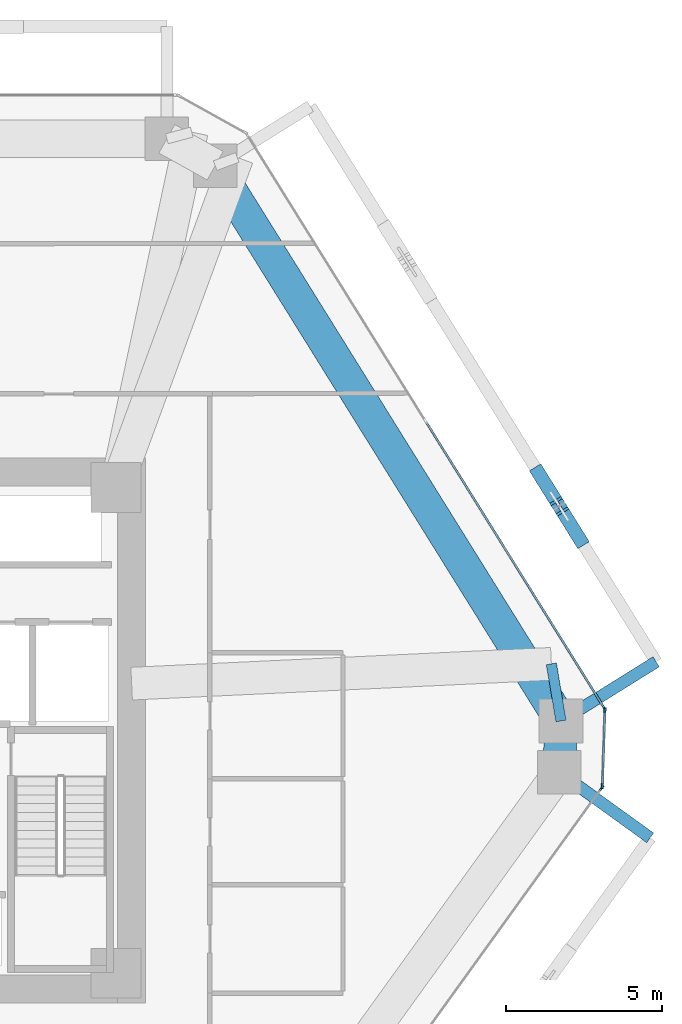
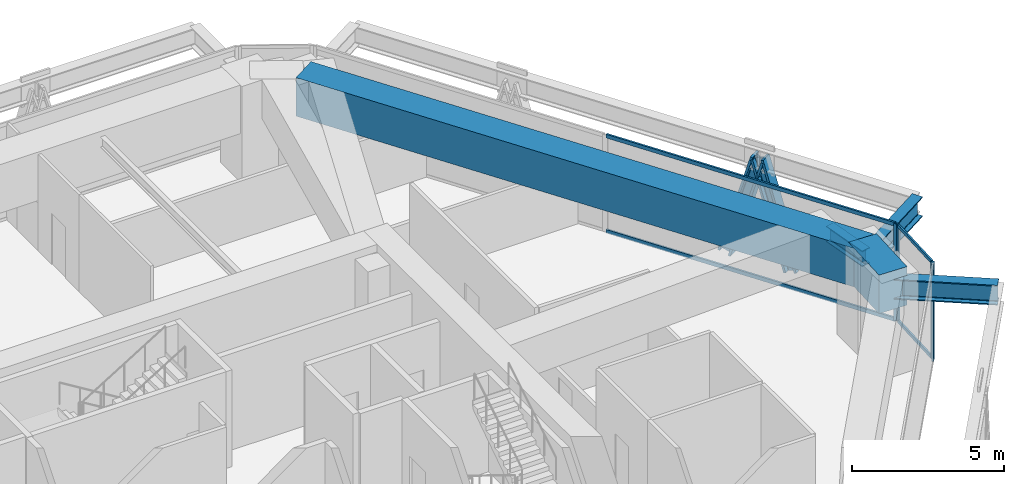
# One storey, part 6 of 16: 10 members, 5 beams, 3 elements without a shape of their own.
"""IFC4 building model written with IfcOpenShell, lengths in metres."""

from ifc_helpers import new_model, si_unit, direction, frame, origin, origin_2d, place, context, subcontext, project, spatial, rectangle, i_section, extrude, source, transform, mapped, material, layer, layer_set, material_profile, profile_set, type_object, type_shapes, element, aggregate, save


model = new_model("IFC4")

# Units and contexts
model_context = context("Model", 3, precision=1e-05, world=origin(), true_north=direction((0.0, 1.0)))
body_context = subcontext(model_context, "Body", "Model", "MODEL_VIEW")
ifc_project = project(units=[si_unit("LENGTHUNIT", "METRE"), si_unit("AREAUNIT", "SQUARE_METRE"), si_unit("VOLUMEUNIT", "CUBIC_METRE"), si_unit("PLANEANGLEUNIT", "RADIAN"), si_unit("MASSUNIT", "GRAM", prefix="KILO")], contexts=[model_context])

# Site, building, storey
site_placement = place(None, origin())
site = spatial("IfcSite", under=ifc_project, at=site_placement, CompositionType="ELEMENT")
building_placement = place(site_placement, origin())
building = spatial("IfcBuilding", under=site, at=building_placement, Name="Durnholm Broadcast Tower", CompositionType="ELEMENT")
storey_placement = place(building_placement, frame((0.0, 0.0, 84.300048828125)))
storey = spatial("IfcBuildingStorey", under=building, at=storey_placement, Name="L22", CompositionType="ELEMENT", Elevation=84.300048828125)

# Beams
ifc_material_1 = material(Name="Steel ASTM A992 Grade 50", Category="steel")
ifc_material_profile_1 = material_profile(ifc_material_1, i_section(OverallWidth=0.385009765625, OverallDepth=0.802978515625, WebThickness=0.023681640625, FlangeThickness=0.0419921875, FilletRadius=0.032958984375, at=origin_2d()), Name="W30X261")
ifc_profile_set_1 = profile_set([ifc_material_profile_1], Name="Steel ASTM A992 Grade 50")
beam_type_1 = type_object("IfcBeamType", Name="BM-EXO-TIE", PredefinedType="USERDEFINED", material=ifc_profile_set_1)
shared_shape_1 = source(origin(), body_context, "Body", "SweptSolid", [
    extrude(i_section(OverallWidth=0.385009765625, OverallDepth=0.802978515625, WebThickness=0.023681640625, FlangeThickness=0.0419921875, FilletRadius=0.032958984375, at=origin_2d()), origin(), (0.0, 0.0, 1.0), 3.4560546875),
])
beam_1_placement = place(storey_placement, frame((24.212890625, 0.375732421875, 3.1484375), z_axis=(0.848874183218, 0.528594949906, 0.0), x_axis=(-0.528594949906, 0.848874183218, 0.0)))
element("IfcBeam", 1, at=beam_1_placement, inside=storey, type_object=beam_type_1, Name="L22 exoskeleton stand-off tie bracket F3.1", ObjectType="GIRDER", PredefinedType="USERDEFINED", context=body_context, shape_type="MappedRepresentation", body=[
    mapped(shared_shape_1, transform((0.0, 0.0, 0.0), x_axis=(1.0, 0.0, 0.0), y_axis=(0.0, 1.0, 0.0), z_axis=(0.0, 0.0, 1.0), scale=1.0)),
])
shared_shape_2 = source(origin(), body_context, "Body", "SweptSolid", [
    extrude(i_section(OverallWidth=0.385009765625, OverallDepth=0.802978515625, WebThickness=0.023681640625, FlangeThickness=0.0419921875, FilletRadius=0.032958984375, at=origin_2d()), origin(), (0.0, 0.0, 1.0), 3.455810546875),
])
type_shapes(beam_type_1, [shared_shape_1, shared_shape_2])
beam_2_placement = place(storey_placement, frame((24.15185546875, -1.431396484375, 3.1484375), z_axis=(0.811133512552, -0.584861030344, 0.0), x_axis=(0.584861030344, 0.811133512552, 0.0)))
element("IfcBeam", 2, at=beam_2_placement, inside=storey, type_object=beam_type_1, Name="L22 exoskeleton stand-off tie bracket F2.2", ObjectType="GIRDER", PredefinedType="USERDEFINED", context=body_context, shape_type="MappedRepresentation", body=[
    mapped(shared_shape_2, transform((0.0, 0.0, 0.0), x_axis=(1.0, 0.0, 0.0), y_axis=(0.0, 1.0, 0.0), z_axis=(0.0, 0.0, 1.0), scale=1.0)),
])
ifc_material_2 = material(Name="Concrete C70/85", Category="concrete")
ifc_material_profile_2 = material_profile(ifc_material_2, rectangle(XDim=1.050048828125, YDim=1.550048828125, at=origin_2d()), Name="RC1050X1550")
ifc_profile_set_2 = profile_set([ifc_material_profile_2], Name="Concrete C70/85")
beam_type_2 = type_object("IfcBeamType", Name="BM-TG-RC1550", PredefinedType="USERDEFINED", material=ifc_profile_set_2)
shared_shape_3 = source(origin(), body_context, "Body", "SweptSolid", [
    extrude(rectangle(XDim=1.050048828125, YDim=1.550048828125, at=origin_2d()), origin(), (0.0, 0.0, 1.0), 21.014404296875),
])
beam_3_placement = place(storey_placement, frame((12.982666015625, 18.138427734375, 3.125), z_axis=(0.528595731543, -0.848873696491, 0.0), x_axis=(0.848873696491, 0.528595731543, 0.0)))
element("IfcBeam", 3, at=beam_3_placement, inside=storey, type_object=beam_type_2, Name="L22 perimeter transfer spandrel girder 07", PredefinedType="SPANDREL", context=body_context, shape_type="MappedRepresentation", body=[
    mapped(shared_shape_3, transform((0.0, 0.0, 0.0), x_axis=(1.0, 0.0, 0.0), y_axis=(0.0, 1.0, 0.0), z_axis=(0.0, 0.0, 1.0), scale=1.0)),
])
shared_shape_4 = source(origin(), body_context, "Body", "SweptSolid", [
    extrude(rectangle(XDim=1.050048828125, YDim=1.550048828125, at=origin_2d()), origin(), (0.0, 0.0, 1.0), 2.14794921875),
])
type_shapes(beam_type_2, [shared_shape_3, shared_shape_4])
beam_4_placement = place(storey_placement, frame((24.099365234375, 0.549560546875, 3.125), z_axis=(-0.03387114864, -0.999426208026, 0.0), x_axis=(0.999426208026, -0.03387114864, 0.0)))
element("IfcBeam", 4, at=beam_4_placement, inside=storey, type_object=beam_type_2, Name="L22 perimeter transfer spandrel girder 08", PredefinedType="SPANDREL", context=body_context, shape_type="MappedRepresentation", body=[
    mapped(shared_shape_4, transform((0.0, 0.0, 0.0), x_axis=(1.0, 0.0, 0.0), y_axis=(0.0, 1.0, 0.0), z_axis=(0.0, 0.0, 1.0), scale=1.0)),
])
ifc_material_profile_3 = material_profile(ifc_material_1, i_section(OverallWidth=0.3291015625, OverallDepth=0.635009765625, WebThickness=0.017822265625, FlangeThickness=0.031005859375, FilletRadius=0.02783203125, at=origin_2d()), Name="W24X162")
ifc_profile_set_3 = profile_set([ifc_material_profile_3], Name="Steel ASTM A992 Grade 50")
beam_type_3 = type_object("IfcBeamType", Name="STL-SP-W24X162", PredefinedType="SPANDREL", material=ifc_profile_set_3)
shared_shape_5 = source(origin(), body_context, "Body", "SweptSolid", [
    extrude(i_section(OverallWidth=0.3291015625, OverallDepth=0.635009765625, WebThickness=0.017822265625, FlangeThickness=0.031005859375, FilletRadius=0.02783203125, at=origin_2d()), origin(), (0.0, 0.0, 1.0), 1.86279296875),
])
type_shapes(beam_type_3, [shared_shape_5])
beam_5_placement = place(storey_placement, frame((24.0908203125, 0.2998046875, 3.280029296875), z_axis=(-0.166438830727, 0.986051781412, 0.0), x_axis=(-0.986051781412, -0.166438830727, 0.0)))
element("IfcBeam", 5, at=beam_5_placement, inside=storey, type_object=beam_type_3, Name="L22 perimeter column collector tie 08", ObjectType="GIRDER", PredefinedType="USERDEFINED", context=body_context, shape_type="MappedRepresentation", body=[
    mapped(shared_shape_5, transform((0.0, 0.0, 0.0), x_axis=(1.0, 0.0, 0.0), y_axis=(0.0, 1.0, 0.0), z_axis=(0.0, 0.0, 1.0), scale=1.0)),
])

# Members
ifc_material_3 = material(Name="Steel ASTM A913 Grade 65", Category="steel")
ifc_material_profile_4 = material_profile(ifc_material_3, i_section(OverallWidth=0.43212890625, OverallDepth=0.497802734375, WebThickness=0.0556640625, FlangeThickness=0.0888671875, FilletRadius=0.030517578125, at=origin_2d()), Name="W14X500")
ifc_profile_set_4 = profile_set([ifc_material_profile_4], Name="Steel ASTM A913 Grade 65")
member_type_1 = type_object("IfcMemberType", Name="STL-DG-W14X500", PredefinedType="BRACE", material=ifc_profile_set_4)
shared_shape_6 = source(origin(), body_context, "Body", "SweptSolid", [
    extrude(i_section(OverallWidth=0.43212890625, OverallDepth=0.497802734375, WebThickness=0.0556640625, FlangeThickness=0.0888671875, FilletRadius=0.030517578125, at=origin_2d()), origin(), (0.0, 0.0, 1.0), 4.31982421875),
])
type_shapes(member_type_1, [shared_shape_6])
for number, where, z_axis, x_axis, name in (
    (6, (24.688720703125, 6.150146484375, -0.991455078125), (-0.151010220189, 0.242452786156, 0.958338437027), (-0.848819847179, -0.528682198523, 0.0), "L22 stand-off diagrid brace F3.D1.1"),
    (7, (23.38427734375, 8.244873046875, -0.991455078125), (0.150954992472, -0.242454855, 0.958346614506), (0.848908635391, 0.528539618911, 0.0), "L22 stand-off diagrid brace F3.D1.2"),
):
    element("IfcMember", number, at=place(storey_placement, frame(where, z_axis=z_axis, x_axis=x_axis)), inside=storey, type_object=member_type_1, Name=name, PredefinedType="BRACE", context=body_context, shape_type="MappedRepresentation", body=[
        mapped(shared_shape_6, transform((0.0, 0.0, 0.0), x_axis=(1.0, 0.0, 0.0), y_axis=(0.0, 1.0, 0.0), z_axis=(0.0, 0.0, 1.0), scale=1.0)),
    ])

# Curtain wall, members
ifc_material_4 = material(Name="Aluminium and Solar Control IGU", Category="aluminium")
ifc_layer_1 = layer(ifc_material_4, 0.1650390625)
ifc_layer_set_1 = layer_set([ifc_layer_1], Name="Aluminium and Solar Control IGU")
curtain_wall_type_1 = type_object("IfcCurtainWallType", Name="CW-SYS-5", PredefinedType="NOTDEFINED", material=ifc_layer_set_1)
curtain_wall_1_placement = place(storey_placement, origin())
curtain_wall_1 = element("IfcCurtainWall", 8, at=curtain_wall_1_placement, inside=storey, type_object=curtain_wall_type_1, Name="L22 curtain wall CW-CORNER CW-L22-CRN-07", PredefinedType="NOTDEFINED")
ifc_material_5 = material(Name="Aluminium 6063-T6", Category="aluminium")
ifc_material_profile_5 = material_profile(ifc_material_5, rectangle(XDim=0.06494140625, YDim=0.1298828125, at=origin_2d()), Name="CWT65X130")
ifc_profile_set_5 = profile_set([ifc_material_profile_5], Name="Aluminium 6063-T6")
member_type_2 = type_object("IfcMemberType", Name="CW-SYS-5-TRN", PredefinedType="USERDEFINED", material=ifc_profile_set_5)
shared_shape_7 = source(origin(), body_context, "Body", "SweptSolid", [
    extrude(rectangle(XDim=0.06494140625, YDim=0.1298828125, at=origin_2d()), origin(), (0.0, 0.0, 1.0), 2.3701171875),
])
type_shapes(member_type_2, [shared_shape_7])
member_1_placement = place(storey_placement, frame((25.502197265625, 0.613037109375, 0.032470703125), z_axis=(-0.033788158898, -0.999429017148, 0.0), x_axis=(0.999429017148, -0.033788158898, 0.0)))
member_1 = element("IfcMember", 9, at=member_1_placement, type_object=member_type_2, Name="CW-CORNER transom 1.1", ObjectType="TRANSOM", PredefinedType="USERDEFINED", context=body_context, shape_type="MappedRepresentation", body=[
    mapped(shared_shape_7, transform((0.0, 0.0, 0.0), x_axis=(1.0, 0.0, 0.0), y_axis=(0.0, 1.0, 0.0), z_axis=(0.0, 0.0, 1.0), scale=1.0)),
])
member_2_placement = place(storey_placement, frame((25.502197265625, 0.613037109375, 3.867431640625), z_axis=(-0.033788158898, -0.999429017148, 0.0), x_axis=(0.999429017148, -0.033788158898, 0.0)))
member_2 = element("IfcMember", 10, at=member_2_placement, type_object=member_type_2, Name="CW-CORNER transom 1.2", ObjectType="TRANSOM", PredefinedType="USERDEFINED", context=body_context, shape_type="MappedRepresentation", body=[
    mapped(shared_shape_7, transform((0.0, 0.0, 0.0), x_axis=(1.0, 0.0, 0.0), y_axis=(0.0, 1.0, 0.0), z_axis=(0.0, 0.0, 1.0), scale=1.0)),
])

ifc_layer_2 = layer(ifc_material_4, 0.18994140625)
ifc_layer_set_2 = layer_set([ifc_layer_2], Name="Aluminium and Solar Control IGU")
curtain_wall_type_2 = type_object("IfcCurtainWallType", Name="CW-SYS-3", PredefinedType="NOTDEFINED", material=ifc_layer_set_2)
curtain_wall_2_placement = place(storey_placement, origin())
curtain_wall_2 = element("IfcCurtainWall", 11, at=curtain_wall_2_placement, inside=storey, type_object=curtain_wall_type_2, Name="L22 curtain wall CW-Z12-VIS CW-L22-F06", PredefinedType="NOTDEFINED")
ifc_material_profile_6 = material_profile(ifc_material_5, rectangle(XDim=0.070068359375, YDim=0.14990234375, at=origin_2d()), Name="CWT70X150")
ifc_profile_set_6 = profile_set([ifc_material_profile_6], Name="Aluminium 6063-T6")
member_type_3 = type_object("IfcMemberType", Name="CW-SYS-3-TRN", PredefinedType="USERDEFINED", material=ifc_profile_set_6)
shared_shape_8 = source(origin(), body_context, "Body", "SweptSolid", [
    extrude(rectangle(XDim=0.070068359375, YDim=0.14990234375, at=origin_2d()), origin(), (0.0, 0.0, 1.0), 10.796630859375),
])
type_shapes(member_type_3, [shared_shape_8])
member_3_placement = place(storey_placement, frame((19.760498046875, 9.902587890625, 0.034912109375), z_axis=(0.528575362968, -0.848886379714, 0.0), x_axis=(0.848886379714, 0.528575362968, 0.0)))
member_3 = element("IfcMember", 12, at=member_3_placement, type_object=member_type_3, Name="CW-Z12-VIS transom 2.1", ObjectType="TRANSOM", PredefinedType="USERDEFINED", context=body_context, shape_type="MappedRepresentation", body=[
    mapped(shared_shape_8, transform((0.0, 0.0, 0.0), x_axis=(1.0, 0.0, 0.0), y_axis=(0.0, 1.0, 0.0), z_axis=(0.0, 0.0, 1.0), scale=1.0)),
])
member_4_placement = place(storey_placement, frame((19.760498046875, 9.902587890625, 3.864990234375), z_axis=(0.528575362968, -0.848886379714, 0.0), x_axis=(0.848886379714, 0.528575362968, 0.0)))
member_4 = element("IfcMember", 13, at=member_4_placement, type_object=member_type_3, Name="CW-Z12-VIS transom 2.2", ObjectType="TRANSOM", PredefinedType="USERDEFINED", context=body_context, shape_type="MappedRepresentation", body=[
    mapped(shared_shape_8, transform((0.0, 0.0, 0.0), x_axis=(1.0, 0.0, 0.0), y_axis=(0.0, 1.0, 0.0), z_axis=(0.0, 0.0, 1.0), scale=1.0)),
])

# Member
ifc_material_profile_7 = material_profile(ifc_material_5, rectangle(XDim=0.06494140625, YDim=0.1650390625, at=origin_2d()), Name="CWM65X165")
ifc_profile_set_7 = profile_set([ifc_material_profile_7], Name="Aluminium 6063-T6")
member_type_4 = type_object("IfcMemberType", Name="CW-SYS-5-MUL", PredefinedType="MULLION", material=ifc_profile_set_7)
shared_shape_9 = source(origin(), body_context, "Body", "SweptSolid", [
    extrude(rectangle(XDim=0.06494140625, YDim=0.1650390625, at=origin_2d()), origin(), (0.0, 0.0, 1.0), 3.89990234375),
])
type_shapes(member_type_4, [shared_shape_9])
member_5_placement = place(storey_placement, frame((25.50341796875, 0.6455078125, 0.0), z_axis=(0.0, 0.0, 1.0), x_axis=(0.999427277772, -0.033839569233, 0.0)))
member_5 = element("IfcMember", 14, at=member_5_placement, type_object=member_type_4, Name="CW-CORNER mullion 1", PredefinedType="MULLION", context=body_context, shape_type="MappedRepresentation", body=[
    mapped(shared_shape_9, transform((0.0, 0.0, 0.0), x_axis=(1.0, 0.0, 0.0), y_axis=(0.0, 1.0, 0.0), z_axis=(0.0, 0.0, 1.0), scale=1.0)),
])

member_6_placement = place(storey_placement, frame((25.4208984375, -1.7880859375, 0.0), z_axis=(0.0, 0.0, 1.0), x_axis=(0.999427277772, -0.033839569233, 0.0)))
member_6 = element("IfcMember", 15, at=member_6_placement, type_object=member_type_4, Name="CW-CORNER mullion 2", PredefinedType="MULLION", context=body_context, shape_type="MappedRepresentation", body=[
    mapped(shared_shape_9, transform((0.0, 0.0, 0.0), x_axis=(1.0, 0.0, 0.0), y_axis=(0.0, 1.0, 0.0), z_axis=(0.0, 0.0, 1.0), scale=1.0)),
])

aggregate(curtain_wall_1, [member_5, member_6, member_1, member_2])

ifc_material_profile_8 = material_profile(ifc_material_5, rectangle(XDim=0.070068359375, YDim=0.18994140625, at=origin_2d()), Name="CWM70X190")
ifc_profile_set_8 = profile_set([ifc_material_profile_8], Name="Aluminium 6063-T6")
member_type_5 = type_object("IfcMemberType", Name="CW-SYS-3-MUL", PredefinedType="MULLION", material=ifc_profile_set_8)
shared_shape_10 = source(origin(), body_context, "Body", "SweptSolid", [
    extrude(rectangle(XDim=0.070068359375, YDim=0.18994140625, at=origin_2d()), origin(), (0.0, 0.0, 1.0), 3.89990234375),
])
type_shapes(member_type_5, [shared_shape_10])
member_7_placement = place(storey_placement, frame((25.48583984375, 0.707763671875, 0.0), z_axis=(0.0, 0.0, 1.0), x_axis=(0.848875785503, 0.528592376777, 0.0)))
member_7 = element("IfcMember", 16, at=member_7_placement, type_object=member_type_5, Name="CW-Z12-VIS mullion 3", PredefinedType="MULLION", context=body_context, shape_type="MappedRepresentation", body=[
    mapped(shared_shape_10, transform((0.0, 0.0, 0.0), x_axis=(1.0, 0.0, 0.0), y_axis=(0.0, 1.0, 0.0), z_axis=(0.0, 0.0, 1.0), scale=1.0)),
])

aggregate(curtain_wall_2, [member_7, member_3, member_4])

# Curtain wall, member
curtain_wall_3_placement = place(storey_placement, origin())
curtain_wall_3 = element("IfcCurtainWall", 17, at=curtain_wall_3_placement, inside=storey, type_object=curtain_wall_type_2, Name="L22 curtain wall CW-Z12-VIS CW-L22-F08", PredefinedType="NOTDEFINED")
member_8_placement = place(storey_placement, frame((25.3994140625, -1.848876953125, 0.0), z_axis=(0.0, 0.0, 1.0), x_axis=(0.81116057493, -0.584823496176, 0.0)))
member_8 = element("IfcMember", 18, at=member_8_placement, type_object=member_type_5, Name="CW-Z12-VIS mullion 1", PredefinedType="MULLION", context=body_context, shape_type="MappedRepresentation", body=[
    mapped(shared_shape_10, transform((0.0, 0.0, 0.0), x_axis=(1.0, 0.0, 0.0), y_axis=(0.0, 1.0, 0.0), z_axis=(0.0, 0.0, 1.0), scale=1.0)),
])
aggregate(curtain_wall_3, [member_8])

save(model, "model.ifc")
